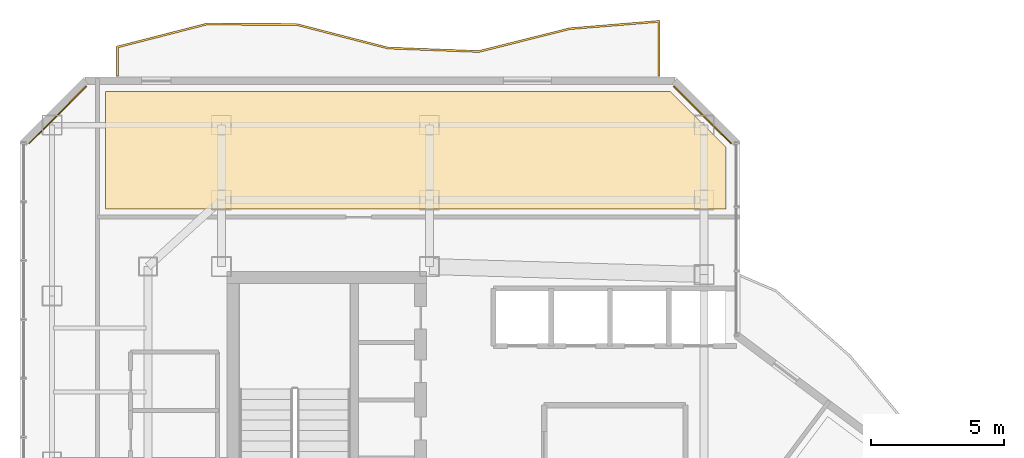
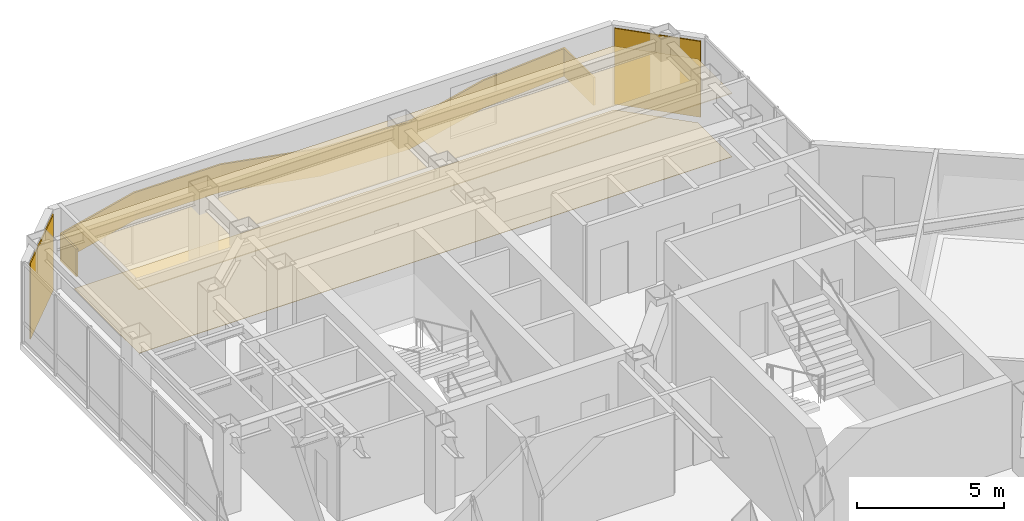
# One storey, part 25 of 25: 4 coverings, 1 railing.
"""IFC4 building model written with IfcOpenShell, lengths in metres."""

from ifc_helpers import new_model, si_unit, direction, frame, origin, origin_2d, place, context, subcontext, project, spatial, polyline, rectangle, outline, extrude, material, layer, layer_set, type_object, element, save


model = new_model("IFC4")

# Units and contexts
model_context = context("Model", 3, precision=1e-05, world=origin(), true_north=direction((0.0, 1.0)))
body_context = subcontext(model_context, "Body", "Model", "MODEL_VIEW")
ifc_project = project(units=[si_unit("LENGTHUNIT", "METRE"), si_unit("AREAUNIT", "SQUARE_METRE"), si_unit("VOLUMEUNIT", "CUBIC_METRE"), si_unit("PLANEANGLEUNIT", "RADIAN"), si_unit("MASSUNIT", "GRAM", prefix="KILO")], contexts=[model_context])

# Site, building, storey
site_placement = place(None, origin())
site = spatial("IfcSite", under=ifc_project, at=site_placement, CompositionType="ELEMENT")
building_placement = place(site_placement, origin())
building = spatial("IfcBuilding", under=site, at=building_placement, Name="Hatsunagi Terrace Concourse", CompositionType="ELEMENT")
storey_placement = place(building_placement, frame((0.0, 0.0, 205.949951171875)))
storey = spatial("IfcBuildingStorey", under=building, at=storey_placement, Name="L54", CompositionType="ELEMENT", Elevation=205.949951171875)

# Railing
ifc_material_1 = material(Name="Laminated Glass and Stainless Steel Guard", Category="steel")
ifc_layer_1 = layer(ifc_material_1, 0.070068359375)
ifc_layer_set_1 = layer_set([ifc_layer_1], Name="BalconyGlassGuardRail_1150")
railing_type = type_object("IfcRailingType", Name="BalconyGlassGuardRail_1150", PredefinedType="BALUSTRADE", material=ifc_layer_set_1)
railing_placement = place(storey_placement, origin())
element("IfcRailing", 1, at=railing_placement, inside=storey, type_object=railing_type, Name="Engawa Balcony Guard GRD-01 L54-BN-1", PredefinedType="BALUSTRADE", context=body_context, shape_type="SweptSolid", body=[
    extrude(outline(polyline([(21.614990234375, 50.449951171875), (21.68505859375, 50.449951171875), (21.68505859375, 51.501953125), (25.01025390625, 52.35595703125), (28.388427734375, 52.3330078125), (31.787841796875, 51.456298828125), (35.208740234375, 51.32568359375), (38.61376953125, 52.181396484375), (41.9150390625, 52.451904296875), (41.9150390625, 50.449951171875), (41.985107421875, 50.449951171875), (41.985107421875, 52.528076171875), (38.602294921875, 52.25048828125), (35.201416015625, 51.396240234375), (31.798095703125, 51.52587890625), (28.397705078125, 52.403076171875), (25.001708984375, 52.426025390625), (21.614990234375, 51.55615234375), (21.614990234375, 50.449951171875)])), origin(), (0.0, 0.0, 1.0), 1.150146484375),
])

# Coverings
ifc_material_2 = material(Name="Hardwood timber", Category="wood")
ifc_layer_2 = layer(ifc_material_2, 0.014892578125)
ifc_layer_set_2 = layer_set([ifc_layer_2], Name="HardwoodTimberFlooring_15")
covering_type_1 = type_object("IfcCoveringType", Name="HardwoodTimberFlooring_15", PredefinedType="FLOORING", material=ifc_layer_set_2)
covering_1_placement = place(storey_placement, origin())
element("IfcCovering", 2, at=covering_1_placement, inside=storey, type_object=covering_type_1, Name="Finished Flooring L54-1", PredefinedType="FLOORING", context=body_context, shape_type="SweptSolid", body=[
    extrude(outline(polyline([(42.3798828125, 49.8701171875), (21.199951171875, 49.8701171875), (21.199951171875, 45.449951171875), (44.469970703125, 45.449951171875), (44.469970703125, 47.780029296875), (42.3798828125, 49.8701171875)])), origin(), (0.0, 0.0, 1.0), 0.01513671875),
])
ifc_material_3 = material(Name="Unglazed Warm Terracotta Rainscreen Tile", Category="masonry")
ifc_layer_3 = layer(ifc_material_3, 0.044921875)
ifc_layer_set_3 = layer_set([ifc_layer_3], Name="TerracottaRainscreenCladding_45")
covering_type_2 = type_object("IfcCoveringType", Name="TerracottaRainscreenCladding_45", PredefinedType="CLADDING", material=ifc_layer_set_3)
for number, where, z_axis, x_axis, name in (
    (3, (19.4140625, 48.986083984375, 0.10009765625), (0.0, 0.0, 1.0), (0.707106781187, 0.707106781187, 0.0), "Terracotta Rainscreen Cladding L54-09"),
    (4, (43.5859375, 48.986083984375, 0.10009765625), (0.0, 0.0, 1.0), (0.707106781187, -0.707106781187, 0.0), "Terracotta Rainscreen Cladding L54-11"),
):
    element("IfcCovering", number, at=place(storey_placement, frame(where, z_axis=z_axis, x_axis=x_axis)), inside=storey, type_object=covering_type_2, Name=name, PredefinedType="CLADDING", context=body_context, shape_type="SweptSolid", body=[
        extrude(rectangle(XDim=3.0380859375, YDim=0.044921875, at=origin_2d()), origin(), (0.0, 0.0, 1.0), 3.14990234375),
    ])
ifc_material_4 = material(Name="Hardwood timber", Category="wood")
ifc_layer_4 = layer(ifc_material_4, 0.034912109375)
ifc_layer_set_4 = layer_set([ifc_layer_4], Name="TimberBaffleCeiling_35")
covering_type_3 = type_object("IfcCoveringType", Name="TimberBaffleCeiling_35", PredefinedType="CEILING", material=ifc_layer_set_4)
covering_2_placement = place(storey_placement, frame((0.0, 0.0, 2.630126953125)))
element("IfcCovering", 5, at=covering_2_placement, inside=storey, type_object=covering_type_3, Name="Suspended Ceiling L54-1", PredefinedType="CEILING", context=body_context, shape_type="SweptSolid", body=[
    extrude(outline(polyline([(42.3798828125, 49.8701171875), (21.199951171875, 49.8701171875), (21.199951171875, 45.449951171875), (44.469970703125, 45.449951171875), (44.469970703125, 47.780029296875), (42.3798828125, 49.8701171875)])), origin(), (0.0, 0.0, 1.0), 0.034912109375),
])

save(model, "model.ifc")
